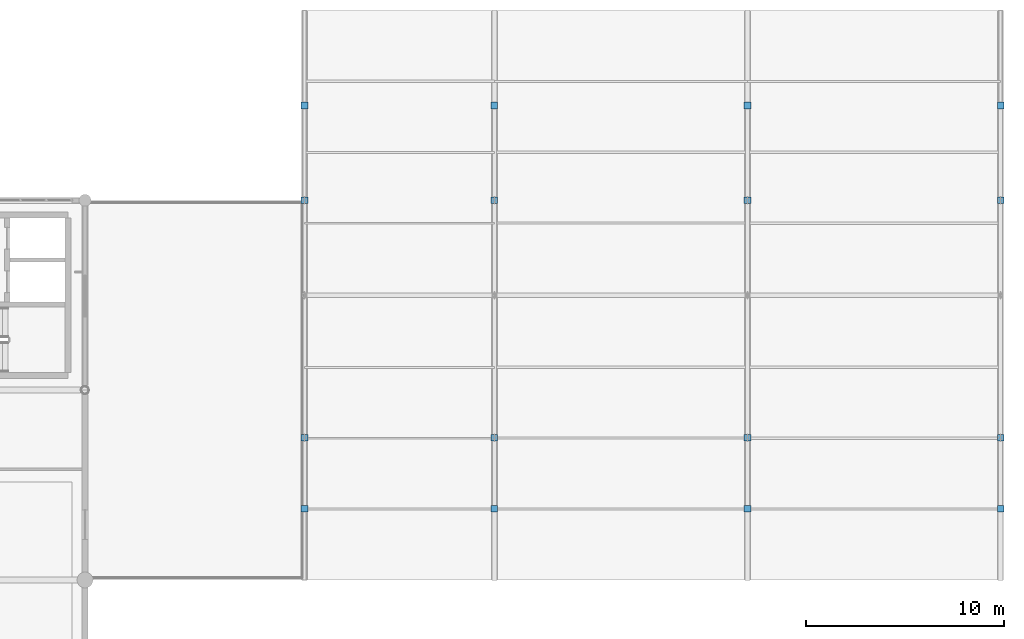
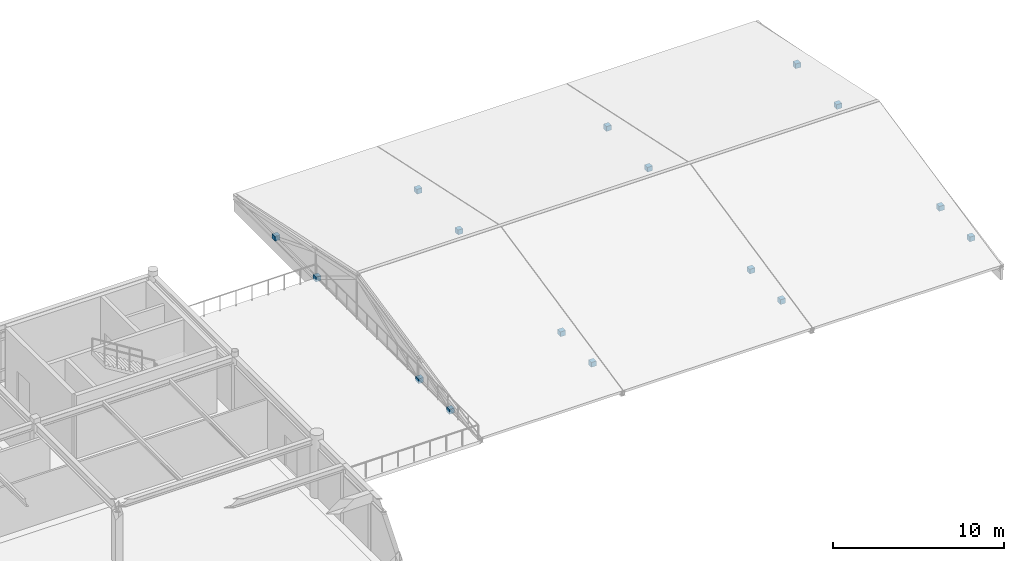
# One storey, part 52 of 61: 16 discrete accessories.
"""IFC4 building model written with IfcOpenShell, lengths in metres."""

import ifcopenshell
import ifcopenshell.guid

model = None  # the IFC model being written
_history = None  # IfcOwnerHistory: only IFC2X3 demands one
_inside = {}  # id of a spatial element -> (the spatial element, [elements in it])
_under = {}  # id of a project, library or spatial element -> (it, [spatial elements below it])
_declared = {}  # id of a project -> (the project, [libraries it declares])
_typed = {}  # id of a type object -> (the type object, [elements of that type])
_made_of = {}  # id of a material, layer set ... -> (it, [elements and type objects made of it])


def new_model(schema):
    """Start an empty IFC model of exactly this schema.

    Asked for "IFC4X3", IfcOpenShell would pick the latest addendum, in which some entities
    have other attributes; the version numbers below select the first issue.
    IFC2X3 requires an IfcOwnerHistory on every rooted entity: one is made here for all.
    """
    global model, _history
    if schema == "IFC4X3":
        model = ifcopenshell.file(schema_version=(4, 3, 0, 0))
    else:
        model = ifcopenshell.file(schema=schema)
    _inside.clear()
    _under.clear()
    _declared.clear()
    _typed.clear()
    _made_of.clear()
    _history = None
    if model.schema == "IFC2X3":
        org = make("IfcOrganization", Name="unknown")
        user = make(
            "IfcPersonAndOrganization",
            ThePerson=make("IfcPerson", FamilyName="unknown"),
            TheOrganization=org,
        )
        app = make(
            "IfcApplication",
            ApplicationDeveloper=org,
            Version="unknown",
            ApplicationFullName="unknown",
            ApplicationIdentifier="unknown",
        )
        _history = make(
            "IfcOwnerHistory",
            OwningUser=user,
            OwningApplication=app,
            ChangeAction="ADDED",
            CreationDate=0,
        )
    return model


def make(cls, **values):
    """One entity of the class cls with the attributes given. An attribute that is None is left unset."""
    return model.create_entity(
        cls, **{name: value for name, value in values.items() if value is not None}
    )


def rooted(cls, **values):
    """An entity with a GlobalId (a new one), such as an element, a storey or a relation."""
    return make(cls, GlobalId=ifcopenshell.guid.new(), OwnerHistory=_history, **values)


def si_unit(unit_type, name, prefix=None):
    """IfcSIUnit, for example si_unit("LENGTHUNIT", "METRE", prefix="MILLI")."""
    return make("IfcSIUnit", UnitType=unit_type, Prefix=prefix, Name=name)


def assignment(units):
    """IfcUnitAssignment: the units of a project."""
    return None if units is None else make("IfcUnitAssignment", Units=units)


def point(xyz):
    """IfcCartesianPoint."""
    return None if xyz is None else make("IfcCartesianPoint", Coordinates=xyz)


def direction(xyz):
    """IfcDirection."""
    return None if xyz is None else make("IfcDirection", DirectionRatios=xyz)


def frame(location, z_axis=None, x_axis=None):
    """IfcAxis2Placement3D, a coordinate frame: its origin and axes. An axis left out is left unset."""
    return make(
        "IfcAxis2Placement3D",
        Location=point(location),
        Axis=direction(z_axis),
        RefDirection=direction(x_axis),
    )


def frame_2d(location, x_axis=None):
    """IfcAxis2Placement2D, a coordinate frame in the plane: its origin and x axis."""
    return make(
        "IfcAxis2Placement2D", Location=point(location), RefDirection=direction(x_axis)
    )


def origin():
    """The frame at (0, 0, 0) with its axes left unset."""
    return frame((0.0, 0.0, 0.0))


def origin_2d():
    """The frame at (0, 0) in the plane with its x axis left unset."""
    return frame_2d((0.0, 0.0))


def place(relative_to, where):
    """IfcLocalPlacement: puts the frame where relative to a parent placement (None: the world)."""
    return make(
        "IfcLocalPlacement", PlacementRelTo=relative_to, RelativePlacement=where
    )


def context(
    kind, dimensions, precision=None, world=None, true_north=None, identifier=None
):
    """IfcGeometricRepresentationContext, for example the 3D "Model" context."""
    return make(
        "IfcGeometricRepresentationContext",
        ContextIdentifier=identifier,
        ContextType=kind,
        CoordinateSpaceDimension=dimensions,
        Precision=precision,
        WorldCoordinateSystem=world,
        TrueNorth=true_north,
    )


def subcontext(parent, identifier, kind, view, scale=None):
    """IfcGeometricRepresentationSubContext, for example "Body" below "Model"."""
    return make(
        "IfcGeometricRepresentationSubContext",
        ContextIdentifier=identifier,
        ContextType=kind,
        ParentContext=parent,
        TargetScale=scale,
        TargetView=view,
    )


def project(units=None, contexts=None):
    """IfcProject with its units and contexts."""
    return rooted(
        "IfcProject",
        Name="project",
        RepresentationContexts=contexts,
        UnitsInContext=assignment(units),
    )


def spatial(cls, under=None, at=None, **own):
    """A site, building, storey or space (cls), placed at a placement, below another one or the project."""
    s = rooted(cls, ObjectPlacement=at, **own)
    if under is not None:
        _under.setdefault(under.id(), (under, []))[1].append(s)
    return s


def profile(cls, at=None, kind="AREA", **sizes):
    """A parametric profile (cls). Its sizes go by their IFC names, for example OverallWidth=200.0."""
    return make(cls, ProfileType=kind, Position=at, **sizes)


def rectangle(**sizes):
    """IfcRectangleProfileDef."""
    return profile("IfcRectangleProfileDef", **sizes)


def extrude(swept, where, along, depth):
    """IfcExtrudedAreaSolid: the profile swept, set in the frame where, extruded along a direction by depth."""
    return make(
        "IfcExtrudedAreaSolid",
        SweptArea=swept,
        Position=where,
        ExtrudedDirection=direction(along),
        Depth=depth,
    )


def shape(context_of_items, identifier, shape_type, items):
    """IfcShapeRepresentation: the items that make up one representation, for example the "Body"."""
    return make(
        "IfcShapeRepresentation",
        ContextOfItems=context_of_items,
        RepresentationIdentifier=identifier,
        RepresentationType=shape_type,
        Items=items,
    )


def material(Name=None, Category=None):
    """IfcMaterial."""
    return make("IfcMaterial", Name=Name, Category=Category)


def made_of(thing, what):
    """Note that an element or type object is made of a material, layer set ...; save() writes the relation."""
    if what is not None:
        _made_of.setdefault(what.id(), (what, []))[1].append(thing)
    return thing


def type_object(cls, material=None, **own):
    """A type object (cls), such as IfcWallType, which elements share."""
    return made_of(rooted(cls, **own), material)


def element(
    cls,
    number,
    at=None,
    inside=None,
    cuts=None,
    type_object=None,
    material=None,
    context=None,
    identifier="Body",
    shape_type=None,
    held_by="IfcProductDefinitionShape",
    body=None,
    shapes=None,
    **own,
):
    """One element of the class cls, such as IfcWall. Its Tag is "e" and its number.

    at: its placement. inside: the storey or other place that contains it. cuts: it is an
    opening in that element (IfcRelVoidsElement). A single representation is given by context,
    identifier, shape_type and body (its items); several are given by shapes. held_by: the class
    of the entity that holds the representations. save() writes the other relations.
    """
    e = rooted(cls, Tag="e%d" % number, ObjectPlacement=at, **own)
    if body is not None:
        shapes = [shape(context, identifier, shape_type, body)]
    if shapes is not None:
        e.Representation = make(held_by, Representations=shapes)
    if inside is not None:
        _inside.setdefault(inside.id(), (inside, []))[1].append(e)
    if cuts is not None:
        rooted(
            "IfcRelVoidsElement", RelatingBuildingElement=cuts, RelatedOpeningElement=e
        )
    if type_object is not None:
        _typed.setdefault(type_object.id(), (type_object, []))[1].append(e)
    return made_of(e, material)


def aggregate(whole, parts):
    """IfcRelAggregates: a whole, such as a stair, and the parts it consists of."""
    return rooted("IfcRelAggregates", RelatingObject=whole, RelatedObjects=parts)


def save(model, path):
    """Write the relations noted so far, then the file.

    IfcRelAggregates (storeys below a building ...), IfcRelContainedInSpatialStructure (elements
    in a storey), IfcRelDefinesByType, IfcRelAssociatesMaterial and IfcRelDeclares: one each for
    every whole, place, type object, material and project.
    """
    for whole, parts in _under.values():
        aggregate(whole, parts)
    for where, things in _inside.values():
        rooted(
            "IfcRelContainedInSpatialStructure",
            RelatedElements=things,
            RelatingStructure=where,
        )
    for kind, things in _typed.values():
        rooted("IfcRelDefinesByType", RelatedObjects=things, RelatingType=kind)
    for what, things in _made_of.values():
        rooted("IfcRelAssociatesMaterial", RelatedObjects=things, RelatingMaterial=what)
    for by, libraries in _declared.values():
        rooted("IfcRelDeclares", RelatingContext=by, RelatedDefinitions=libraries)
    model.write(path)


model = new_model("IFC4")

# Units and contexts
model_context = context("Model", 3, precision=1e-05, world=origin(), true_north=direction((0.0, 1.0)))
body_context = subcontext(model_context, "Body", "Model", "MODEL_VIEW")
ifc_project = project(units=[si_unit("LENGTHUNIT", "METRE"), si_unit("AREAUNIT", "SQUARE_METRE"), si_unit("VOLUMEUNIT", "CUBIC_METRE"), si_unit("PLANEANGLEUNIT", "RADIAN"), si_unit("MASSUNIT", "GRAM", prefix="KILO")], contexts=[model_context])

# Site, building, storey
site_placement = place(None, origin())
site = spatial("IfcSite", under=ifc_project, at=site_placement, CompositionType="ELEMENT")
building_placement = place(site_placement, origin())
building = spatial("IfcBuilding", under=site, at=building_placement, Name="Fikremerkos Civic Library", CompositionType="ELEMENT")
storey_placement = place(building_placement, frame((0.0, 0.0, 14.39990234375)))
storey = spatial("IfcBuildingStorey", under=building, at=storey_placement, Name="L03", CompositionType="ELEMENT", Elevation=14.39990234375)

# Discrete accessories
ifc_material = material(Name="Steel S355", Category="steel")
discrete_accessory_type = type_object("IfcDiscreteAccessoryType", Name="Steel brace end connection bracket BRK-S1", PredefinedType="BRACKET", material=ifc_material)
for number, where, z_axis, x_axis, name in (
    (1, (124.800048828125, 15.60009765625, -0.169921875), (0.0, 0.0, 1.0), (1.0, 0.0, 0.0), "Steel S355 brace end connection bracket #1"),
    (2, (124.800048828125, 19.199951171875, -0.169921875), (0.0, 0.0, 1.0), (1.0, 0.0, 0.0), "Steel S355 brace end connection bracket #2"),
    (3, (124.800048828125, 31.199951171875, -0.169921875), (0.0, 0.0, 1.0), (1.0, 0.0, 0.0), "Steel S355 brace end connection bracket #3"),
    (4, (124.800048828125, 36.0, -0.169921875), (0.0, 0.0, 1.0), (1.0, 0.0, 0.0), "Steel S355 brace end connection bracket #4"),
    (5, (134.39990234375, 15.60009765625, -0.169921875), (0.0, 0.0, 1.0), (1.0, 0.0, 0.0), "Steel S355 brace end connection bracket #5"),
    (6, (134.39990234375, 19.199951171875, -0.169921875), (0.0, 0.0, 1.0), (1.0, 0.0, 0.0), "Steel S355 brace end connection bracket #6"),
    (7, (134.39990234375, 31.199951171875, -0.169921875), (0.0, 0.0, 1.0), (1.0, 0.0, 0.0), "Steel S355 brace end connection bracket #7"),
    (8, (134.39990234375, 36.0, -0.169921875), (0.0, 0.0, 1.0), (1.0, 0.0, 0.0), "Steel S355 brace end connection bracket #8"),
    (9, (147.199951171875, 15.60009765625, -0.169921875), (0.0, 0.0, 1.0), (1.0, 0.0, 0.0), "Steel S355 brace end connection bracket #9"),
    (10, (147.199951171875, 19.199951171875, -0.169921875), (0.0, 0.0, 1.0), (1.0, 0.0, 0.0), "Steel S355 brace end connection bracket #10"),
    (11, (147.199951171875, 31.199951171875, -0.169921875), (0.0, 0.0, 1.0), (1.0, 0.0, 0.0), "Steel S355 brace end connection bracket #11"),
    (12, (147.199951171875, 36.0, -0.169921875), (0.0, 0.0, 1.0), (1.0, 0.0, 0.0), "Steel S355 brace end connection bracket #12"),
    (13, (160.0, 15.60009765625, -0.169921875), (0.0, 0.0, 1.0), (1.0, 0.0, 0.0), "Steel S355 brace end connection bracket #13"),
    (14, (160.0, 19.199951171875, -0.169921875), (0.0, 0.0, 1.0), (1.0, 0.0, 0.0), "Steel S355 brace end connection bracket #14"),
    (15, (160.0, 31.199951171875, -0.169921875), (0.0, 0.0, 1.0), (1.0, 0.0, 0.0), "Steel S355 brace end connection bracket #15"),
    (16, (160.0, 36.0, -0.169921875), (0.0, 0.0, 1.0), (1.0, 0.0, 0.0), "Steel S355 brace end connection bracket #16"),
):
    element("IfcDiscreteAccessory", number, at=place(storey_placement, frame(where, z_axis=z_axis, x_axis=x_axis)), inside=storey, type_object=discrete_accessory_type, Name=name, PredefinedType="BRACKET", context=body_context, shape_type="SweptSolid", body=[
        extrude(rectangle(XDim=0.340087890625, YDim=0.340087890625, at=origin_2d()), origin(), (0.0, 0.0, 1.0), 0.340087890625),
    ])

save(model, "model.ifc")
